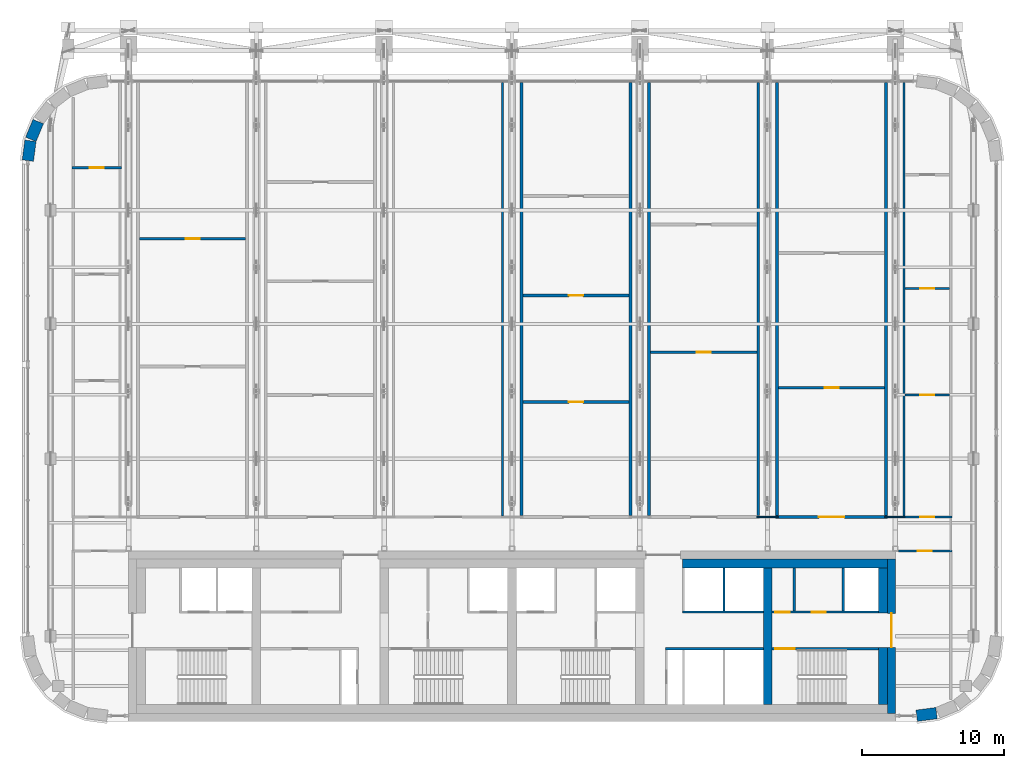
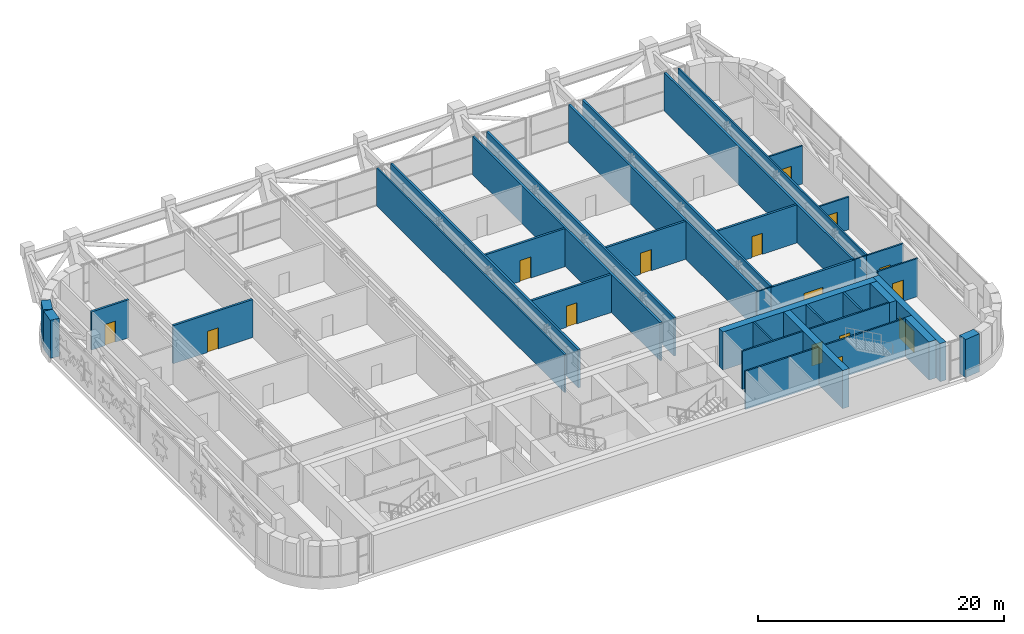
# One storey, part 20 of 28: 36 walls, 15 doors, 15 openings.
"""IFC4 building model written with IfcOpenShell, lengths in metres."""

import ifcopenshell
import ifcopenshell.guid

model = None  # the IFC model being written
_history = None  # IfcOwnerHistory: only IFC2X3 demands one
_inside = {}  # id of a spatial element -> (the spatial element, [elements in it])
_under = {}  # id of a project, library or spatial element -> (it, [spatial elements below it])
_declared = {}  # id of a project -> (the project, [libraries it declares])
_typed = {}  # id of a type object -> (the type object, [elements of that type])
_made_of = {}  # id of a material, layer set ... -> (it, [elements and type objects made of it])


def new_model(schema):
    """Start an empty IFC model of exactly this schema.

    Asked for "IFC4X3", IfcOpenShell would pick the latest addendum, in which some entities
    have other attributes; the version numbers below select the first issue.
    IFC2X3 requires an IfcOwnerHistory on every rooted entity: one is made here for all.
    """
    global model, _history
    if schema == "IFC4X3":
        model = ifcopenshell.file(schema_version=(4, 3, 0, 0))
    else:
        model = ifcopenshell.file(schema=schema)
    _inside.clear()
    _under.clear()
    _declared.clear()
    _typed.clear()
    _made_of.clear()
    _history = None
    if model.schema == "IFC2X3":
        org = make("IfcOrganization", Name="unknown")
        user = make(
            "IfcPersonAndOrganization",
            ThePerson=make("IfcPerson", FamilyName="unknown"),
            TheOrganization=org,
        )
        app = make(
            "IfcApplication",
            ApplicationDeveloper=org,
            Version="unknown",
            ApplicationFullName="unknown",
            ApplicationIdentifier="unknown",
        )
        _history = make(
            "IfcOwnerHistory",
            OwningUser=user,
            OwningApplication=app,
            ChangeAction="ADDED",
            CreationDate=0,
        )
    return model


def make(cls, **values):
    """One entity of the class cls with the attributes given. An attribute that is None is left unset."""
    return model.create_entity(
        cls, **{name: value for name, value in values.items() if value is not None}
    )


def rooted(cls, **values):
    """An entity with a GlobalId (a new one), such as an element, a storey or a relation."""
    return make(cls, GlobalId=ifcopenshell.guid.new(), OwnerHistory=_history, **values)


def si_unit(unit_type, name, prefix=None):
    """IfcSIUnit, for example si_unit("LENGTHUNIT", "METRE", prefix="MILLI")."""
    return make("IfcSIUnit", UnitType=unit_type, Prefix=prefix, Name=name)


def assignment(units):
    """IfcUnitAssignment: the units of a project."""
    return None if units is None else make("IfcUnitAssignment", Units=units)


def point(xyz):
    """IfcCartesianPoint."""
    return None if xyz is None else make("IfcCartesianPoint", Coordinates=xyz)


def direction(xyz):
    """IfcDirection."""
    return None if xyz is None else make("IfcDirection", DirectionRatios=xyz)


def frame(location, z_axis=None, x_axis=None):
    """IfcAxis2Placement3D, a coordinate frame: its origin and axes. An axis left out is left unset."""
    return make(
        "IfcAxis2Placement3D",
        Location=point(location),
        Axis=direction(z_axis),
        RefDirection=direction(x_axis),
    )


def frame_2d(location, x_axis=None):
    """IfcAxis2Placement2D, a coordinate frame in the plane: its origin and x axis."""
    return make(
        "IfcAxis2Placement2D", Location=point(location), RefDirection=direction(x_axis)
    )


def origin():
    """The frame at (0, 0, 0) with its axes left unset."""
    return frame((0.0, 0.0, 0.0))


def place(relative_to, where):
    """IfcLocalPlacement: puts the frame where relative to a parent placement (None: the world)."""
    return make(
        "IfcLocalPlacement", PlacementRelTo=relative_to, RelativePlacement=where
    )


def context(
    kind, dimensions, precision=None, world=None, true_north=None, identifier=None
):
    """IfcGeometricRepresentationContext, for example the 3D "Model" context."""
    return make(
        "IfcGeometricRepresentationContext",
        ContextIdentifier=identifier,
        ContextType=kind,
        CoordinateSpaceDimension=dimensions,
        Precision=precision,
        WorldCoordinateSystem=world,
        TrueNorth=true_north,
    )


def subcontext(parent, identifier, kind, view, scale=None):
    """IfcGeometricRepresentationSubContext, for example "Body" below "Model"."""
    return make(
        "IfcGeometricRepresentationSubContext",
        ContextIdentifier=identifier,
        ContextType=kind,
        ParentContext=parent,
        TargetScale=scale,
        TargetView=view,
    )


def project(units=None, contexts=None):
    """IfcProject with its units and contexts."""
    return rooted(
        "IfcProject",
        Name="project",
        RepresentationContexts=contexts,
        UnitsInContext=assignment(units),
    )


def spatial(cls, under=None, at=None, **own):
    """A site, building, storey or space (cls), placed at a placement, below another one or the project."""
    s = rooted(cls, ObjectPlacement=at, **own)
    if under is not None:
        _under.setdefault(under.id(), (under, []))[1].append(s)
    return s


def profile(cls, at=None, kind="AREA", **sizes):
    """A parametric profile (cls). Its sizes go by their IFC names, for example OverallWidth=200.0."""
    return make(cls, ProfileType=kind, Position=at, **sizes)


def rectangle(**sizes):
    """IfcRectangleProfileDef."""
    return profile("IfcRectangleProfileDef", **sizes)


def extrude(swept, where, along, depth):
    """IfcExtrudedAreaSolid: the profile swept, set in the frame where, extruded along a direction by depth."""
    return make(
        "IfcExtrudedAreaSolid",
        SweptArea=swept,
        Position=where,
        ExtrudedDirection=direction(along),
        Depth=depth,
    )


def shape(context_of_items, identifier, shape_type, items):
    """IfcShapeRepresentation: the items that make up one representation, for example the "Body"."""
    return make(
        "IfcShapeRepresentation",
        ContextOfItems=context_of_items,
        RepresentationIdentifier=identifier,
        RepresentationType=shape_type,
        Items=items,
    )


def material(Name=None, Category=None):
    """IfcMaterial."""
    return make("IfcMaterial", Name=Name, Category=Category)


def layer(
    of_material, thickness, ventilated=None, Name=None, Category=None, Priority=None
):
    """IfcMaterialLayer: one layer of a wall or slab, of a material (None: an air gap)."""
    return make(
        "IfcMaterialLayer",
        Material=of_material,
        LayerThickness=thickness,
        IsVentilated=ventilated,
        Name=Name,
        Category=Category,
        Priority=Priority,
    )


def layer_set(layers, Name=None):
    """IfcMaterialLayerSet."""
    return make("IfcMaterialLayerSet", MaterialLayers=layers, LayerSetName=Name)


def made_of(thing, what):
    """Note that an element or type object is made of a material, layer set ...; save() writes the relation."""
    if what is not None:
        _made_of.setdefault(what.id(), (what, []))[1].append(thing)
    return thing


def type_object(cls, material=None, **own):
    """A type object (cls), such as IfcWallType, which elements share."""
    return made_of(rooted(cls, **own), material)


def element(
    cls,
    number,
    at=None,
    inside=None,
    cuts=None,
    type_object=None,
    material=None,
    context=None,
    identifier="Body",
    shape_type=None,
    held_by="IfcProductDefinitionShape",
    body=None,
    shapes=None,
    **own,
):
    """One element of the class cls, such as IfcWall. Its Tag is "e" and its number.

    at: its placement. inside: the storey or other place that contains it. cuts: it is an
    opening in that element (IfcRelVoidsElement). A single representation is given by context,
    identifier, shape_type and body (its items); several are given by shapes. held_by: the class
    of the entity that holds the representations. save() writes the other relations.
    """
    e = rooted(cls, Tag="e%d" % number, ObjectPlacement=at, **own)
    if body is not None:
        shapes = [shape(context, identifier, shape_type, body)]
    if shapes is not None:
        e.Representation = make(held_by, Representations=shapes)
    if inside is not None:
        _inside.setdefault(inside.id(), (inside, []))[1].append(e)
    if cuts is not None:
        rooted(
            "IfcRelVoidsElement", RelatingBuildingElement=cuts, RelatedOpeningElement=e
        )
    if type_object is not None:
        _typed.setdefault(type_object.id(), (type_object, []))[1].append(e)
    return made_of(e, material)


def fill(opening, filler):
    """IfcRelFillsElement: the door or window that sits in an opening."""
    return rooted(
        "IfcRelFillsElement",
        RelatingOpeningElement=opening,
        RelatedBuildingElement=filler,
    )


def aggregate(whole, parts):
    """IfcRelAggregates: a whole, such as a stair, and the parts it consists of."""
    return rooted("IfcRelAggregates", RelatingObject=whole, RelatedObjects=parts)


def save(model, path):
    """Write the relations noted so far, then the file.

    IfcRelAggregates (storeys below a building ...), IfcRelContainedInSpatialStructure (elements
    in a storey), IfcRelDefinesByType, IfcRelAssociatesMaterial and IfcRelDeclares: one each for
    every whole, place, type object, material and project.
    """
    for whole, parts in _under.values():
        aggregate(whole, parts)
    for where, things in _inside.values():
        rooted(
            "IfcRelContainedInSpatialStructure",
            RelatedElements=things,
            RelatingStructure=where,
        )
    for kind, things in _typed.values():
        rooted("IfcRelDefinesByType", RelatedObjects=things, RelatingType=kind)
    for what, things in _made_of.values():
        rooted("IfcRelAssociatesMaterial", RelatedObjects=things, RelatingMaterial=what)
    for by, libraries in _declared.values():
        rooted("IfcRelDeclares", RelatingContext=by, RelatedDefinitions=libraries)
    model.write(path)


model = new_model("IFC4")

# Units and contexts
model_context = context("Model", 3, precision=1e-05, world=origin(), true_north=direction((0.0, 1.0)))
body_context = subcontext(model_context, "Body", "Model", "MODEL_VIEW")
ifc_project = project(units=[si_unit("LENGTHUNIT", "METRE"), si_unit("AREAUNIT", "SQUARE_METRE"), si_unit("VOLUMEUNIT", "CUBIC_METRE"), si_unit("PLANEANGLEUNIT", "RADIAN"), si_unit("MASSUNIT", "GRAM", prefix="KILO")], contexts=[model_context])

# Site, building, storey
site_placement = place(None, origin())
site = spatial("IfcSite", under=ifc_project, at=site_placement, CompositionType="ELEMENT")
building_placement = place(site_placement, origin())
building = spatial("IfcBuilding", under=site, at=building_placement, Name="Zellij Exchange Tower", CompositionType="ELEMENT")
storey_placement = place(building_placement, frame((0.0, 0.0, 268.5)))
storey = spatial("IfcBuildingStorey", under=building, at=storey_placement, Name="L63", CompositionType="ELEMENT", Elevation=268.5)

# Walls
ifc_material_1 = material(Name="Concrete C50/60", Category="concrete")
ifc_layer_1 = layer(ifc_material_1, 0.60009765625)
ifc_layer_set_1 = layer_set([ifc_layer_1], Name="Concrete C50/60")
wall_type_1 = type_object("IfcWallType", Name="CORE-CW 600 C50/60", PredefinedType="SHEAR", material=ifc_layer_set_1)
wall_1_placement = place(storey_placement, frame((18.0, -12.800048828125, 0.0), z_axis=(0.0, 0.0, 1.0), x_axis=(0.0, 1.0, 0.0)))
element("IfcWall", 1, at=wall_1_placement, inside=storey, type_object=wall_type_1, Name="Core cross wall x 18 L63", PredefinedType="SHEAR", context=body_context, shape_type="SweptSolid", body=[
    extrude(rectangle(XDim=9.60009765625, YDim=0.60009765625, at=frame_2d((4.800048828125, 0.0))), origin(), (0.0, 0.0, 1.0), 3.780029296875),
])
ifc_material_2 = material(Name="Concrete C30/37", Category="concrete")
ifc_layer_2 = layer(ifc_material_2, 0.64990234375)
ifc_layer_set_2 = layer_set([ifc_layer_2], Name="Concrete C30/37")
wall_type_2 = type_object("IfcWallType", Name="CORE-LW 650 C30/37", PredefinedType="SHEAR", material=ifc_layer_set_2)
wall_2_placement = place(storey_placement, frame((12.0, -2.875, 0.0), z_axis=(0.0, 0.0, 1.0), x_axis=(1.0, 0.0, 0.0)))
element("IfcWall", 2, at=wall_2_placement, inside=storey, type_object=wall_type_2, Name="Core wall lining front.2 L63", PredefinedType="SHEAR", context=body_context, shape_type="SweptSolid", body=[
    extrude(rectangle(XDim=14.449951171875, YDim=0.64990234375, at=frame_2d((7.22509765625, 0.0))), origin(), (0.0, 0.0, 1.0), 3.780029296875),
])
wall_3_placement = place(storey_placement, frame((26.125, -12.800048828125, 0.0), z_axis=(0.0, 0.0, 1.0), x_axis=(0.0, 1.0, 0.0)))
element("IfcWall", 3, at=wall_3_placement, inside=storey, type_object=wall_type_2, Name="Core wall lining end e.0 L63", PredefinedType="SHEAR", context=body_context, shape_type="SweptSolid", body=[
    extrude(rectangle(XDim=4.0, YDim=0.64990234375, at=frame_2d((2.0, 0.0))), origin(), (0.0, 0.0, 1.0), 3.780029296875),
])
wall_4_placement = place(storey_placement, frame((26.125, -6.375, 0.0), z_axis=(0.0, 0.0, 1.0), x_axis=(0.0, 1.0, 0.0)))
element("IfcWall", 4, at=wall_4_placement, inside=storey, type_object=wall_type_2, Name="Core wall lining end e.1 L63", PredefinedType="SHEAR", context=body_context, shape_type="SweptSolid", body=[
    extrude(rectangle(XDim=3.175048828125, YDim=0.64990234375, at=frame_2d((1.58740234375, 0.0))), origin(), (0.0, 0.0, 1.0), 3.780029296875),
])
ifc_material_3 = material(Name="Gypsum shaft wall system")
ifc_layer_3 = layer(ifc_material_3, 0.14990234375)
ifc_layer_set_3 = layer_set([ifc_layer_3], Name="Gypsum shaft wall system")
wall_type_3 = type_object("IfcWallType", Name="CORE-PW 150 Lift shaft wall", PredefinedType="PARTITIONING", material=ifc_layer_set_3)
for number, where, z_axis, x_axis, name in (
    (5, (14.925048828125, -6.22509765625, 0.0), (0.0, 0.0, 1.0), (0.0, 1.0, 0.0), "Lift shaft wall L63"),
    (6, (23.324951171875, -6.22509765625, 0.0), (0.0, 0.0, 1.0), (0.0, 1.0, 0.0), "Lift shaft wall L63"),
):
    element("IfcWall", number, at=place(storey_placement, frame(where, z_axis=z_axis, x_axis=x_axis)), inside=storey, type_object=wall_type_3, Name=name, PredefinedType="PARTITIONING", context=body_context, shape_type="SweptSolid", body=[
        extrude(rectangle(XDim=3.025146484375, YDim=0.14990234375, at=frame_2d((1.5126953125, 0.0))), origin(), (0.0, 0.0, 1.0), 3.780029296875),
    ])
wall_5_placement = place(storey_placement, frame((12.0, -6.300048828125, 0.0), z_axis=(0.0, 0.0, 1.0), x_axis=(1.0, 0.0, 0.0)))
element("IfcWall", 7, at=wall_5_placement, inside=storey, type_object=wall_type_3, Name="Lift shaft wall L63", PredefinedType="PARTITIONING", context=body_context, shape_type="SweptSolid", body=[
    extrude(rectangle(XDim=5.699951171875, YDim=0.14990234375, at=frame_2d((2.85009765625, 0.0))), origin(), (0.0, 0.0, 1.0), 3.780029296875),
])

# Wall, openings, doors
wall_6_placement = place(storey_placement, frame((18.300048828125, -6.300048828125, 0.0), z_axis=(0.0, 0.0, 1.0), x_axis=(1.0, 0.0, 0.0)))
wall_6 = element("IfcWall", 8, at=wall_6_placement, inside=storey, type_object=wall_type_3, Name="Lift shaft wall L63", PredefinedType="PARTITIONING", context=body_context, shape_type="SweptSolid", body=[
    extrude(rectangle(XDim=7.5, YDim=0.14990234375, at=frame_2d((3.75, 0.0))), origin(), (0.0, 0.0, 1.0), 3.780029296875),
])
opening_1_placement = place(wall_6_placement, frame((0.25, 0.0, 0.0)))
opening_1 = element("IfcOpeningElement", 9, at=opening_1_placement, cuts=wall_6, Name="Opening CA-33.17", PredefinedType="OPENING", context=body_context, shape_type="SweptSolid", body=[
    extrude(rectangle(XDim=1.0, YDim=2.10009765625, at=frame_2d((0.5, 1.050048828125))), frame((0.0, 0.0869140625, 0.0), z_axis=(0.0, -1.0, 0.0), x_axis=(1.0, 0.0, 0.0)), (0.0, 0.0, 1.0), 0.173828125),
])
opening_2_placement = place(wall_6_placement, frame((2.800048828125, 0.0, 0.0)))
opening_2 = element("IfcOpeningElement", 10, at=opening_2_placement, cuts=wall_6, Name="Opening CA-33.19", PredefinedType="OPENING", context=body_context, shape_type="SweptSolid", body=[
    extrude(rectangle(XDim=1.0, YDim=2.10009765625, at=frame_2d((0.5, 1.050048828125))), frame((0.0, 0.0869140625, 0.0), z_axis=(0.0, -1.0, 0.0), x_axis=(1.0, 0.0, 0.0)), (0.0, 0.0, 1.0), 0.173828125),
])
ifc_material_4 = material(Name="Hollow metal fire door")
door_type_1 = type_object("IfcDoorType", Name="CORE-D CDA Core room door 1000x2100 1.5 HR", OperationType="NOTDEFINED", PredefinedType="DOOR", material=ifc_material_4)
door_1_placement = place(opening_1_placement, origin())
door_1 = element("IfcDoor", 11, at=door_1_placement, inside=storey, type_object=door_type_1, Name="Core room door CA-33.17", OperationType="SINGLE_SWING_LEFT", OverallHeight=2.10009765625, OverallWidth=1.0, PredefinedType="DOOR", context=body_context, shape_type="SweptSolid", body=[
    extrude(rectangle(XDim=1.0, YDim=2.10009765625, at=frame_2d((0.5, 1.050048828125))), frame((0.0, 0.02490234375, 0.0), z_axis=(0.0, -1.0, 0.0), x_axis=(1.0, 0.0, 0.0)), (0.0, 0.0, 1.0), 0.050048828125),
])
fill(opening_1, door_1)
door_2_placement = place(opening_2_placement, origin())
door_2 = element("IfcDoor", 12, at=door_2_placement, inside=storey, type_object=door_type_1, Name="Core room door CA-33.19", OperationType="SINGLE_SWING_LEFT", OverallHeight=2.10009765625, OverallWidth=1.0, PredefinedType="DOOR", context=body_context, shape_type="SweptSolid", body=[
    extrude(rectangle(XDim=1.0, YDim=2.10009765625, at=frame_2d((0.5, 1.050048828125))), frame((0.0, 0.02490234375, 0.0), z_axis=(0.0, -1.0, 0.0), x_axis=(1.0, 0.0, 0.0)), (0.0, 0.0, 1.0), 0.050048828125),
])
fill(opening_2, door_2)

# Walls
wall_7_placement = place(storey_placement, frame((10.800048828125, -8.875, 0.0), z_axis=(0.0, 0.0, 1.0), x_axis=(1.0, 0.0, 0.0)))
element("IfcWall", 13, at=wall_7_placement, inside=storey, type_object=wall_type_3, Name="Lift shaft wall L63", PredefinedType="PARTITIONING", context=body_context, shape_type="SweptSolid", body=[
    extrude(rectangle(XDim=6.89990234375, YDim=0.14990234375, at=frame_2d((3.449951171875, 0.0))), origin(), (0.0, 0.0, 1.0), 3.780029296875),
])
ifc_layer_4 = layer(ifc_material_3, 0.14990234375)
ifc_layer_set_4 = layer_set([ifc_layer_4], Name="Gypsum shaft wall system")
wall_type_4 = type_object("IfcWallType", Name="CORE-PW 150 Plant room wall", PredefinedType="PARTITIONING", material=ifc_layer_set_4)
wall_8_placement = place(storey_placement, frame((19.875, -6.22509765625, 0.0), z_axis=(0.0, 0.0, 1.0), x_axis=(0.0, 1.0, 0.0)))
element("IfcWall", 14, at=wall_8_placement, inside=storey, type_object=wall_type_4, Name="Plant room wall L63", PredefinedType="PARTITIONING", context=body_context, shape_type="SweptSolid", body=[
    extrude(rectangle(XDim=3.025146484375, YDim=0.14990234375, at=frame_2d((1.5126953125, 0.0))), origin(), (0.0, 0.0, 1.0), 3.780029296875),
])

# Wall, opening, door
ifc_layer_5 = layer(ifc_material_1, 0.550048828125)
ifc_layer_set_5 = layer_set([ifc_layer_5], Name="Concrete C50/60")
wall_type_5 = type_object("IfcWallType", Name="CORE-SW 550 C50/60", PredefinedType="SHEAR", material=ifc_layer_set_5)
wall_9_placement = place(storey_placement, frame((26.72509765625, -13.449951171875, 0.0), z_axis=(0.0, 0.0, 1.0), x_axis=(0.0, 1.0, 0.0)))
wall_9 = element("IfcWall", 15, at=wall_9_placement, inside=storey, type_object=wall_type_5, Name="Core shear wall end e L63", PredefinedType="SHEAR", context=body_context, shape_type="SweptSolid", body=[
    extrude(rectangle(XDim=10.89990234375, YDim=0.550048828125, at=frame_2d((5.449951171875, 0.0))), origin(), (0.0, 0.0, 1.0), 3.780029296875),
])
opening_3_placement = place(wall_9_placement, frame((4.662109375, 0.0, 0.0)))
opening_3 = element("IfcOpeningElement", 16, at=opening_3_placement, cuts=wall_9, Name="Opening CA-33.20", PredefinedType="OPENING", context=body_context, shape_type="SweptSolid", body=[
    extrude(rectangle(XDim=2.39990234375, YDim=2.10009765625, at=frame_2d((1.199951171875, 1.050048828125))), frame((0.0, 0.287109375, 0.0), z_axis=(0.0, -1.0, 0.0), x_axis=(1.0, 0.0, 0.0)), (0.0, 0.0, 1.0), 0.573974609375),
])
door_type_2 = type_object("IfcDoorType", Name="CORE-D CE Core entrance door 2400x2100 20 MIN", OperationType="NOTDEFINED", PredefinedType="DOOR", material=ifc_material_4)
door_3_placement = place(opening_3_placement, origin())
door_3 = element("IfcDoor", 17, at=door_3_placement, inside=storey, type_object=door_type_2, Name="Core entrance door CA-33.20", OperationType="DOUBLE_DOOR_SINGLE_SWING", OverallHeight=2.10009765625, OverallWidth=2.39990234375, PredefinedType="DOOR", context=body_context, shape_type="SweptSolid", body=[
    extrude(rectangle(XDim=2.39990234375, YDim=2.10009765625, at=frame_2d((1.199951171875, 1.050048828125))), frame((0.0, 0.02490234375, 0.0), z_axis=(0.0, -1.0, 0.0), x_axis=(1.0, 0.0, 0.0)), (0.0, 0.0, 1.0), 0.050048828125),
])
fill(opening_3, door_3)

ifc_layer_6 = layer(ifc_material_1, 0.14990234375)
ifc_layer_set_6 = layer_set([ifc_layer_6], Name="Concrete C50/60")
wall_type_6 = type_object("IfcWallType", Name="CORE-SWS 150 C50/60", PredefinedType="SHEAR", material=ifc_layer_set_6)
wall_10_placement = place(storey_placement, frame((18.300048828125, -8.875, 0.0), z_axis=(0.0, 0.0, 1.0), x_axis=(1.0, 0.0, 0.0)))
wall_10 = element("IfcWall", 18, at=wall_10_placement, inside=storey, type_object=wall_type_6, Name="Stair enclosure wall L63", PredefinedType="SHEAR", context=body_context, shape_type="SweptSolid", body=[
    extrude(rectangle(XDim=7.5, YDim=0.14990234375, at=frame_2d((3.75, 0.0))), origin(), (0.0, 0.0, 1.0), 3.780029296875),
])
opening_4_placement = place(wall_10_placement, frame((0.22509765625, 0.0, 0.0)))
opening_4 = element("IfcOpeningElement", 19, at=opening_4_placement, cuts=wall_10, Name="Opening CA-33.18", PredefinedType="OPENING", context=body_context, shape_type="SweptSolid", body=[
    extrude(rectangle(XDim=1.39990234375, YDim=2.10009765625, at=frame_2d((0.699951171875, 1.050048828125))), frame((0.0, 0.0869140625, 0.0), z_axis=(0.0, -1.0, 0.0), x_axis=(1.0, 0.0, 0.0)), (0.0, 0.0, 1.0), 0.173828125),
])
door_type_3 = type_object("IfcDoorType", Name="CORE-D SD Stair door 1400x2100 1.5 HR", OperationType="NOTDEFINED", PredefinedType="DOOR", material=ifc_material_4)
door_4_placement = place(opening_4_placement, origin())
door_4 = element("IfcDoor", 20, at=door_4_placement, inside=storey, type_object=door_type_3, Name="Stair door CA-33.18", OperationType="DOUBLE_DOOR_SINGLE_SWING", OverallHeight=2.10009765625, OverallWidth=1.39990234375, PredefinedType="DOOR", context=body_context, shape_type="SweptSolid", body=[
    extrude(rectangle(XDim=1.39990234375, YDim=2.10009765625, at=frame_2d((0.699951171875, 1.050048828125))), frame((0.0, 0.02490234375, 0.0), z_axis=(0.0, -1.0, 0.0), x_axis=(1.0, 0.0, 0.0)), (0.0, 0.0, 1.0), 0.050048828125),
])
fill(opening_4, door_4)

# Walls
ifc_material_5 = material(Name="Precast concrete C40/50", Category="concrete")
ifc_layer_7 = layer(ifc_material_5, 0.800048828125)
ifc_layer_set_7 = layer_set([ifc_layer_7], Name="Precast concrete C40/50")
wall_type_7 = type_object("IfcWallType", Name="ENV-EW1 Precast stone-piered wall 800", PredefinedType="SOLIDWALL", material=ifc_layer_set_7)
wall_11_placement = place(storey_placement, frame((28.499755859375, -13.5966796875, 0.0), z_axis=(0.0, 0.0, 1.0), x_axis=(0.99144603414, 0.130517283865, 0.0)))
element("IfcWall", 21, at=wall_11_placement, inside=storey, type_object=wall_type_7, Name="fac.L63.01", PredefinedType="SOLIDWALL", context=body_context, shape_type="SweptSolid", body=[
    extrude(rectangle(XDim=1.408447265625, YDim=0.800048828125, at=frame_2d((0.7041015625, 0.0))), origin(), (0.0, 0.0, 1.0), 3.780029296875),
])
wall_12_placement = place(storey_placement, frame((-33.366943359375, 28.24951171875, 0.0), z_axis=(0.0, 0.0, 1.0), x_axis=(-0.38276009378, -0.923847774587, 0.0)))
element("IfcWall", 22, at=wall_12_placement, inside=storey, type_object=wall_type_7, Name="fac.L63.19", PredefinedType="SOLIDWALL", context=body_context, shape_type="SweptSolid", body=[
    extrude(rectangle(XDim=1.35546875, YDim=0.800048828125, at=frame_2d((0.677734375, 0.0))), origin(), (0.0, 0.0, 1.0), 3.780029296875),
])
wall_13_placement = place(storey_placement, frame((-33.912841796875, 26.896240234375, 0.0), z_axis=(0.0, 0.0, 1.0), x_axis=(-0.130517283865, -0.99144603414, 0.0)))
element("IfcWall", 23, at=wall_13_placement, inside=storey, type_object=wall_type_7, Name="fac.L63.20", PredefinedType="SOLIDWALL", context=body_context, shape_type="SweptSolid", body=[
    extrude(rectangle(XDim=1.408447265625, YDim=0.800048828125, at=frame_2d((0.7041015625, 0.0))), origin(), (0.0, 0.0, 1.0), 3.780029296875),
])
ifc_material_6 = material(Name="Blockwork fire wall", Category="masonry")
ifc_layer_8 = layer(ifc_material_6, 0.199951171875)
ifc_layer_set_8 = layer_set([ifc_layer_8], Name="Blockwork fire wall")
wall_type_8 = type_object("IfcWallType", Name="FIT-BLOCKWORK-200-EI120", PredefinedType="PARTITIONING", material=ifc_layer_set_8)
for number, where, z_axis, x_axis, name in (
    (24, (0.659912109375, 0.5, 0.0), (0.0, 0.0, 1.0), (0.0, 1.0, 0.0), "FIT-BLOCKWORK-200-EI120 024"),
    (25, (8.340087890625, 0.5, 0.0), (0.0, 0.0, 1.0), (0.0, 1.0, 0.0), "FIT-BLOCKWORK-200-EI120 026"),
    (26, (9.659912109375, 0.5, 0.0), (0.0, 0.0, 1.0), (0.0, 1.0, 0.0), "FIT-BLOCKWORK-200-EI120 028"),
    (27, (17.340087890625, 0.5, 0.0), (0.0, 0.0, 1.0), (0.0, 1.0, 0.0), "FIT-BLOCKWORK-200-EI120 030"),
):
    element("IfcWall", number, at=place(storey_placement, frame(where, z_axis=z_axis, x_axis=x_axis)), inside=storey, type_object=wall_type_8, Name=name, PredefinedType="PARTITIONING", context=body_context, shape_type="SweptSolid", body=[
        extrude(rectangle(XDim=30.49609375, YDim=0.199951171875, at=frame_2d((15.248046875, 0.0))), origin(), (0.0, 0.0, 1.0), 3.780029296875),
    ])

# Wall, opening, door
wall_14_placement = place(storey_placement, frame((18.56005859375, 0.39990234375, 0.0), z_axis=(0.0, 0.0, 1.0), x_axis=(1.0, 0.0, 0.0)))
wall_14 = element("IfcWall", 28, at=wall_14_placement, inside=storey, type_object=wall_type_8, Name="FIT-BLOCKWORK-200-EI120 031", PredefinedType="PARTITIONING", context=body_context, shape_type="SweptSolid", body=[
    extrude(rectangle(XDim=7.8798828125, YDim=0.199951171875, at=frame_2d((3.93994140625, 0.0))), origin(), (0.0, 0.0, 1.0), 3.780029296875),
])
opening_5_placement = place(wall_14_placement, frame((3.050048828125, 0.0, 0.0)))
opening_5 = element("IfcOpeningElement", 29, at=opening_5_placement, cuts=wall_14, Name="Opening PL63.09", PredefinedType="OPENING", context=body_context, shape_type="SweptSolid", body=[
    extrude(rectangle(XDim=1.800048828125, YDim=2.10009765625, at=frame_2d((0.89990234375, 1.050048828125))), frame((0.0, 0.11181640625, 0.0), z_axis=(0.0, -1.0, 0.0), x_axis=(1.0, 0.0, 0.0)), (0.0, 0.0, 1.0), 0.223876953125),
])
ifc_material_7 = material(Name="Steel fire door set", Category="steel")
door_type_4 = type_object("IfcDoorType", Name="FIT-D5-FIRE-DOUBLE-1800X2100", OperationType="DOUBLE_DOOR_SINGLE_SWING", PredefinedType="DOOR", material=ifc_material_7)
door_5_placement = place(opening_5_placement, origin())
door_5 = element("IfcDoor", 30, at=door_5_placement, inside=storey, type_object=door_type_4, Name="Door PL63.09", OperationType="DOUBLE_DOOR_SINGLE_SWING", OverallHeight=2.10009765625, OverallWidth=1.800048828125, PredefinedType="DOOR", context=body_context, shape_type="SweptSolid", body=[
    extrude(rectangle(XDim=1.800048828125, YDim=2.10009765625, at=frame_2d((0.89990234375, 1.050048828125))), frame((0.0, 0.02490234375, 0.0), z_axis=(0.0, -1.0, 0.0), x_axis=(1.0, 0.0, 0.0)), (0.0, 0.0, 1.0), 0.050048828125),
])
fill(opening_5, door_5)

# Walls
for number, where, z_axis, x_axis, name in (
    (31, (18.659912109375, 0.5, 0.0), (0.0, 0.0, 1.0), (0.0, 1.0, 0.0), "FIT-BLOCKWORK-200-EI120 032"),
    (32, (26.340087890625, 0.5, 0.0), (0.0, 0.0, 1.0), (0.0, 1.0, 0.0), "FIT-BLOCKWORK-200-EI120 034"),
):
    element("IfcWall", number, at=place(storey_placement, frame(where, z_axis=z_axis, x_axis=x_axis)), inside=storey, type_object=wall_type_8, Name=name, PredefinedType="PARTITIONING", context=body_context, shape_type="SweptSolid", body=[
        extrude(rectangle(XDim=30.49609375, YDim=0.199951171875, at=frame_2d((15.248046875, 0.0))), origin(), (0.0, 0.0, 1.0), 3.780029296875),
    ])

# Wall, opening, door
wall_15_placement = place(storey_placement, frame((0.760009765625, 8.5, 0.0), z_axis=(0.0, 0.0, 1.0), x_axis=(1.0, 0.0, 0.0)))
wall_15 = element("IfcWall", 33, at=wall_15_placement, inside=storey, type_object=wall_type_8, Name="FIT-BLOCKWORK-200-EI120 038", PredefinedType="PARTITIONING", context=body_context, shape_type="SweptSolid", body=[
    extrude(rectangle(XDim=7.47998046875, YDim=0.199951171875, at=frame_2d((3.739990234375, 0.0))), origin(), (0.0, 0.0, 1.0), 3.780029296875),
])
opening_6_placement = place(wall_15_placement, frame((3.25, 0.0, 0.0)))
opening_6 = element("IfcOpeningElement", 34, at=opening_6_placement, cuts=wall_15, Name="Opening PL63.11", PredefinedType="OPENING", context=body_context, shape_type="SweptSolid", body=[
    extrude(rectangle(XDim=1.0, YDim=2.10009765625, at=frame_2d((0.5, 1.050048828125))), frame((0.0, 0.11181640625, 0.0), z_axis=(0.0, -1.0, 0.0), x_axis=(1.0, 0.0, 0.0)), (0.0, 0.0, 1.0), 0.223876953125),
])
door_type_5 = type_object("IfcDoorType", Name="FIT-D4-FIRE-1000X2100", OperationType="SINGLE_SWING_LEFT", PredefinedType="DOOR", material=ifc_material_7)
door_6_placement = place(opening_6_placement, origin())
door_6 = element("IfcDoor", 35, at=door_6_placement, inside=storey, type_object=door_type_5, Name="Door PL63.11", OperationType="SINGLE_SWING_RIGHT", OverallHeight=2.10009765625, OverallWidth=1.0, PredefinedType="DOOR", context=body_context, shape_type="SweptSolid", body=[
    extrude(rectangle(XDim=1.0, YDim=2.10009765625, at=frame_2d((0.5, 1.050048828125))), frame((0.0, 0.02490234375, 0.0), z_axis=(0.0, -1.0, 0.0), x_axis=(1.0, 0.0, 0.0)), (0.0, 0.0, 1.0), 0.050048828125),
])
fill(opening_6, door_6)

wall_16_placement = place(storey_placement, frame((18.760009765625, 9.5, 0.0), z_axis=(0.0, 0.0, 1.0), x_axis=(1.0, 0.0, 0.0)))
wall_16 = element("IfcWall", 36, at=wall_16_placement, inside=storey, type_object=wall_type_8, Name="FIT-BLOCKWORK-200-EI120 041", PredefinedType="PARTITIONING", context=body_context, shape_type="SweptSolid", body=[
    extrude(rectangle(XDim=7.47998046875, YDim=0.199951171875, at=frame_2d((3.739990234375, 0.0))), origin(), (0.0, 0.0, 1.0), 3.780029296875),
])
opening_7_placement = place(wall_16_placement, frame((3.25, 0.0, 0.0)))
opening_7 = element("IfcOpeningElement", 37, at=opening_7_placement, cuts=wall_16, Name="Opening PL63.14", PredefinedType="OPENING", context=body_context, shape_type="SweptSolid", body=[
    extrude(rectangle(XDim=1.0, YDim=2.10009765625, at=frame_2d((0.5, 1.050048828125))), frame((0.0, 0.11181640625, 0.0), z_axis=(0.0, -1.0, 0.0), x_axis=(1.0, 0.0, 0.0)), (0.0, 0.0, 1.0), 0.223876953125),
])
door_7_placement = place(opening_7_placement, origin())
door_7 = element("IfcDoor", 38, at=door_7_placement, inside=storey, type_object=door_type_5, Name="Door PL63.14", OperationType="SINGLE_SWING_RIGHT", OverallHeight=2.10009765625, OverallWidth=1.0, PredefinedType="DOOR", context=body_context, shape_type="SweptSolid", body=[
    extrude(rectangle(XDim=1.0, YDim=2.10009765625, at=frame_2d((0.5, 1.050048828125))), frame((0.0, 0.02490234375, 0.0), z_axis=(0.0, -1.0, 0.0), x_axis=(1.0, 0.0, 0.0)), (0.0, 0.0, 1.0), 0.050048828125),
])
fill(opening_7, door_7)

wall_17_placement = place(storey_placement, frame((9.760009765625, 12.0, 0.0), z_axis=(0.0, 0.0, 1.0), x_axis=(1.0, 0.0, 0.0)))
wall_17 = element("IfcWall", 39, at=wall_17_placement, inside=storey, type_object=wall_type_8, Name="FIT-BLOCKWORK-200-EI120 044", PredefinedType="PARTITIONING", context=body_context, shape_type="SweptSolid", body=[
    extrude(rectangle(XDim=7.47998046875, YDim=0.199951171875, at=frame_2d((3.739990234375, 0.0))), origin(), (0.0, 0.0, 1.0), 3.780029296875),
])
opening_8_placement = place(wall_17_placement, frame((3.25, 0.0, 0.0)))
opening_8 = element("IfcOpeningElement", 40, at=opening_8_placement, cuts=wall_17, Name="Opening PL63.17", PredefinedType="OPENING", context=body_context, shape_type="SweptSolid", body=[
    extrude(rectangle(XDim=1.0, YDim=2.10009765625, at=frame_2d((0.5, 1.050048828125))), frame((0.0, 0.11181640625, 0.0), z_axis=(0.0, -1.0, 0.0), x_axis=(1.0, 0.0, 0.0)), (0.0, 0.0, 1.0), 0.223876953125),
])
door_8_placement = place(opening_8_placement, origin())
door_8 = element("IfcDoor", 41, at=door_8_placement, inside=storey, type_object=door_type_5, Name="Door PL63.17", OperationType="SINGLE_SWING_RIGHT", OverallHeight=2.10009765625, OverallWidth=1.0, PredefinedType="DOOR", context=body_context, shape_type="SweptSolid", body=[
    extrude(rectangle(XDim=1.0, YDim=2.10009765625, at=frame_2d((0.5, 1.050048828125))), frame((0.0, 0.02490234375, 0.0), z_axis=(0.0, -1.0, 0.0), x_axis=(1.0, 0.0, 0.0)), (0.0, 0.0, 1.0), 0.050048828125),
])
fill(opening_8, door_8)

wall_18_placement = place(storey_placement, frame((0.760009765625, 16.0, 0.0), z_axis=(0.0, 0.0, 1.0), x_axis=(1.0, 0.0, 0.0)))
wall_18 = element("IfcWall", 42, at=wall_18_placement, inside=storey, type_object=wall_type_8, Name="FIT-BLOCKWORK-200-EI120 045", PredefinedType="PARTITIONING", context=body_context, shape_type="SweptSolid", body=[
    extrude(rectangle(XDim=7.47998046875, YDim=0.199951171875, at=frame_2d((3.739990234375, 0.0))), origin(), (0.0, 0.0, 1.0), 3.780029296875),
])
opening_9_placement = place(wall_18_placement, frame((3.25, 0.0, 0.0)))
opening_9 = element("IfcOpeningElement", 43, at=opening_9_placement, cuts=wall_18, Name="Opening PL63.18", PredefinedType="OPENING", context=body_context, shape_type="SweptSolid", body=[
    extrude(rectangle(XDim=1.0, YDim=2.10009765625, at=frame_2d((0.5, 1.050048828125))), frame((0.0, 0.11181640625, 0.0), z_axis=(0.0, -1.0, 0.0), x_axis=(1.0, 0.0, 0.0)), (0.0, 0.0, 1.0), 0.223876953125),
])
door_9_placement = place(opening_9_placement, origin())
door_9 = element("IfcDoor", 44, at=door_9_placement, inside=storey, type_object=door_type_5, Name="Door PL63.18", OperationType="SINGLE_SWING_RIGHT", OverallHeight=2.10009765625, OverallWidth=1.0, PredefinedType="DOOR", context=body_context, shape_type="SweptSolid", body=[
    extrude(rectangle(XDim=1.0, YDim=2.10009765625, at=frame_2d((0.5, 1.050048828125))), frame((0.0, 0.02490234375, 0.0), z_axis=(0.0, -1.0, 0.0), x_axis=(1.0, 0.0, 0.0)), (0.0, 0.0, 1.0), 0.050048828125),
])
fill(opening_9, door_9)

wall_19_placement = place(storey_placement, frame((-26.239990234375, 20.0, 0.0), z_axis=(0.0, 0.0, 1.0), x_axis=(1.0, 0.0, 0.0)))
wall_19 = element("IfcWall", 45, at=wall_19_placement, inside=storey, type_object=wall_type_8, Name="FIT-BLOCKWORK-200-EI120 050", PredefinedType="PARTITIONING", context=body_context, shape_type="SweptSolid", body=[
    extrude(rectangle(XDim=7.47998046875, YDim=0.199951171875, at=frame_2d((3.739990234375, 0.0))), origin(), (0.0, 0.0, 1.0), 3.780029296875),
])
opening_10_placement = place(wall_19_placement, frame((3.25, 0.0, 0.0)))
opening_10 = element("IfcOpeningElement", 46, at=opening_10_placement, cuts=wall_19, Name="Opening PL63.23", PredefinedType="OPENING", context=body_context, shape_type="SweptSolid", body=[
    extrude(rectangle(XDim=1.0, YDim=2.10009765625, at=frame_2d((0.5, 1.050048828125))), frame((0.0, 0.11181640625, 0.0), z_axis=(0.0, -1.0, 0.0), x_axis=(1.0, 0.0, 0.0)), (0.0, 0.0, 1.0), 0.223876953125),
])
door_10_placement = place(opening_10_placement, origin())
door_10 = element("IfcDoor", 47, at=door_10_placement, inside=storey, type_object=door_type_5, Name="Door PL63.23", OperationType="SINGLE_SWING_RIGHT", OverallHeight=2.10009765625, OverallWidth=1.0, PredefinedType="DOOR", context=body_context, shape_type="SweptSolid", body=[
    extrude(rectangle(XDim=1.0, YDim=2.10009765625, at=frame_2d((0.5, 1.050048828125))), frame((0.0, 0.02490234375, 0.0), z_axis=(0.0, -1.0, 0.0), x_axis=(1.0, 0.0, 0.0)), (0.0, 0.0, 1.0), 0.050048828125),
])
fill(opening_10, door_10)

wall_20_placement = place(storey_placement, frame((-31.0, 25.0, 0.0), z_axis=(0.0, 0.0, 1.0), x_axis=(1.0, 0.0, 0.0)))
wall_20 = element("IfcWall", 48, at=wall_20_placement, inside=storey, type_object=wall_type_8, Name="FIT-BLOCKWORK-200-EI120 055", PredefinedType="PARTITIONING", context=body_context, shape_type="SweptSolid", body=[
    extrude(rectangle(XDim=3.5, YDim=0.199951171875, at=frame_2d((1.75, 0.0))), origin(), (0.0, 0.0, 1.0), 3.780029296875),
])
opening_11_placement = place(wall_20_placement, frame((1.25, 0.0, 0.0)))
opening_11 = element("IfcOpeningElement", 49, at=opening_11_placement, cuts=wall_20, Name="Opening PL63.28", PredefinedType="OPENING", context=body_context, shape_type="SweptSolid", body=[
    extrude(rectangle(XDim=1.0, YDim=2.10009765625, at=frame_2d((0.5, 1.050048828125))), frame((0.0, 0.11181640625, 0.0), z_axis=(0.0, -1.0, 0.0), x_axis=(1.0, 0.0, 0.0)), (0.0, 0.0, 1.0), 0.223876953125),
])
door_11_placement = place(opening_11_placement, origin())
door_11 = element("IfcDoor", 50, at=door_11_placement, inside=storey, type_object=door_type_5, Name="Door PL63.28", OperationType="SINGLE_SWING_LEFT", OverallHeight=2.10009765625, OverallWidth=1.0, PredefinedType="DOOR", context=body_context, shape_type="SweptSolid", body=[
    extrude(rectangle(XDim=1.0, YDim=2.10009765625, at=frame_2d((0.5, 1.050048828125))), frame((0.0, 0.02490234375, 0.0), z_axis=(0.0, -1.0, 0.0), x_axis=(1.0, 0.0, 0.0)), (0.0, 0.0, 1.0), 0.050048828125),
])
fill(opening_11, door_11)

# Walls
ifc_material_8 = material(Name="Gypsum board partition on steel studs", Category="steel")
ifc_layer_9 = layer(ifc_material_8, 0.10009765625)
ifc_layer_set_9 = layer_set([ifc_layer_9], Name="Gypsum board partition on steel studs")
wall_type_9 = type_object("IfcWallType", Name="FIT-PARTITION-100", PredefinedType="PARTITIONING", material=ifc_layer_set_9)
wall_21_placement = place(storey_placement, frame((17.239990234375, 0.39990234375, 0.0), z_axis=(0.0, 0.0, 1.0), x_axis=(1.0, 0.0, 0.0)))
element("IfcWall", 51, at=wall_21_placement, inside=storey, type_object=wall_type_9, Name="FIT-PARTITION-100 029", PredefinedType="PARTITIONING", context=body_context, shape_type="SweptSolid", body=[
    extrude(rectangle(XDim=1.52001953125, YDim=0.10009765625, at=frame_2d((0.760009765625, 0.0))), origin(), (0.0, 0.0, 1.0), 3.780029296875),
])
wall_22_placement = place(storey_placement, frame((26.239990234375, 0.39990234375, 0.0), z_axis=(0.0, 0.0, 1.0), x_axis=(1.0, 0.0, 0.0)))
element("IfcWall", 52, at=wall_22_placement, inside=storey, type_object=wall_type_9, Name="FIT-PARTITION-100 033", PredefinedType="PARTITIONING", context=body_context, shape_type="SweptSolid", body=[
    extrude(rectangle(XDim=1.43505859375, YDim=0.10009765625, at=frame_2d((0.717529296875, 0.0))), origin(), (0.0, 0.0, 1.0), 3.780029296875),
])

# Wall, opening, door
ifc_material_9 = material(Name="Gypsum board shaft-wall partition", Category="gypsum")
ifc_layer_10 = layer(ifc_material_9, 0.14990234375)
ifc_layer_set_10 = layer_set([ifc_layer_10], Name="Gypsum board shaft-wall partition")
wall_type_10 = type_object("IfcWallType", Name="FIT-PARTITION-150-EI60", PredefinedType="PARTITIONING", material=ifc_layer_set_10)
wall_23_placement = place(storey_placement, frame((27.2119140625, -2.0, 0.0), z_axis=(0.0, 0.0, 1.0), x_axis=(1.0, 0.0, 0.0)))
wall_23 = element("IfcWall", 53, at=wall_23_placement, inside=storey, type_object=wall_type_10, Name="FIT-PARTITION-150-EI60 005", PredefinedType="PARTITIONING", context=body_context, shape_type="SweptSolid", body=[
    extrude(rectangle(XDim=3.76318359375, YDim=0.14990234375, at=frame_2d((1.881591796875, 0.0))), origin(), (0.0, 0.0, 1.0), 3.780029296875),
])
opening_12_placement = place(wall_23_placement, frame((1.3662109375, 0.0, 0.0)))
opening_12 = element("IfcOpeningElement", 54, at=opening_12_placement, cuts=wall_23, Name="Opening PL63.02", PredefinedType="OPENING", context=body_context, shape_type="SweptSolid", body=[
    extrude(rectangle(XDim=1.0, YDim=2.10009765625, at=frame_2d((0.5, 1.050048828125))), frame((0.0, 0.0869140625, 0.0), z_axis=(0.0, -1.0, 0.0), x_axis=(1.0, 0.0, 0.0)), (0.0, 0.0, 1.0), 0.173828125),
])
door_12_placement = place(opening_12_placement, origin())
door_12 = element("IfcDoor", 55, at=door_12_placement, inside=storey, type_object=door_type_5, Name="Door PL63.02", OperationType="SINGLE_SWING_LEFT", OverallHeight=2.10009765625, OverallWidth=1.0, PredefinedType="DOOR", context=body_context, shape_type="SweptSolid", body=[
    extrude(rectangle(XDim=1.0, YDim=2.10009765625, at=frame_2d((0.5, 1.050048828125))), frame((0.0, 0.02490234375, 0.0), z_axis=(0.0, -1.0, 0.0), x_axis=(1.0, 0.0, 0.0)), (0.0, 0.0, 1.0), 0.050048828125),
])
fill(opening_12, door_12)

# Wall
wall_24_placement = place(storey_placement, frame((-0.659912109375, 0.47509765625, 0.0), z_axis=(0.0, 0.0, 1.0), x_axis=(0.0, 1.0, 0.0)))
element("IfcWall", 56, at=wall_24_placement, inside=storey, type_object=wall_type_10, Name="FIT-PARTITION-150-EI60 022", PredefinedType="PARTITIONING", context=body_context, shape_type="SweptSolid", body=[
    extrude(rectangle(XDim=30.52099609375, YDim=0.14990234375, at=frame_2d((15.260498046875, 0.0))), origin(), (0.0, 0.0, 1.0), 3.780029296875),
])

# Wall, opening, door
wall_25_placement = place(storey_placement, frame((27.52490234375, 0.39990234375, 0.0), z_axis=(0.0, 0.0, 1.0), x_axis=(1.0, 0.0, 0.0)))
wall_25 = element("IfcWall", 57, at=wall_25_placement, inside=storey, type_object=wall_type_10, Name="FIT-PARTITION-150-EI60 035", PredefinedType="PARTITIONING", context=body_context, shape_type="SweptSolid", body=[
    extrude(rectangle(XDim=3.4501953125, YDim=0.14990234375, at=frame_2d((1.72509765625, 0.0))), origin(), (0.0, 0.0, 1.0), 3.780029296875),
])
opening_13_placement = place(wall_25_placement, frame((1.22509765625, 0.0, 0.0)))
opening_13 = element("IfcOpeningElement", 58, at=opening_13_placement, cuts=wall_25, Name="Opening PL63.10", PredefinedType="OPENING", context=body_context, shape_type="SweptSolid", body=[
    extrude(rectangle(XDim=1.0, YDim=2.10009765625, at=frame_2d((0.5, 1.050048828125))), frame((0.0, 0.0869140625, 0.0), z_axis=(0.0, -1.0, 0.0), x_axis=(1.0, 0.0, 0.0)), (0.0, 0.0, 1.0), 0.173828125),
])
door_13_placement = place(opening_13_placement, origin())
door_13 = element("IfcDoor", 59, at=door_13_placement, inside=storey, type_object=door_type_5, Name="Door PL63.10", OperationType="SINGLE_SWING_RIGHT", OverallHeight=2.10009765625, OverallWidth=1.0, PredefinedType="DOOR", context=body_context, shape_type="SweptSolid", body=[
    extrude(rectangle(XDim=1.0, YDim=2.10009765625, at=frame_2d((0.5, 1.050048828125))), frame((0.0, 0.02490234375, 0.0), z_axis=(0.0, -1.0, 0.0), x_axis=(1.0, 0.0, 0.0)), (0.0, 0.0, 1.0), 0.050048828125),
])
fill(opening_13, door_13)

# Wall
wall_26_placement = place(storey_placement, frame((27.60009765625, 0.47509765625, 0.0), z_axis=(0.0, 0.0, 1.0), x_axis=(0.0, 1.0, 0.0)))
element("IfcWall", 60, at=wall_26_placement, inside=storey, type_object=wall_type_10, Name="FIT-PARTITION-150-EI60 036", PredefinedType="PARTITIONING", context=body_context, shape_type="SweptSolid", body=[
    extrude(rectangle(XDim=30.52099609375, YDim=0.14990234375, at=frame_2d((15.260498046875, 0.0))), origin(), (0.0, 0.0, 1.0), 3.780029296875),
])

# Wall, opening, door
wall_27_placement = place(storey_placement, frame((27.675048828125, 9.0, 0.0), z_axis=(0.0, 0.0, 1.0), x_axis=(1.0, 0.0, 0.0)))
wall_27 = element("IfcWall", 61, at=wall_27_placement, inside=storey, type_object=wall_type_10, Name="FIT-PARTITION-150-EI60 040", PredefinedType="PARTITIONING", context=body_context, shape_type="SweptSolid", body=[
    extrude(rectangle(XDim=3.14990234375, YDim=0.14990234375, at=frame_2d((1.574951171875, 0.0))), origin(), (0.0, 0.0, 1.0), 3.24658203125),
])
opening_14_placement = place(wall_27_placement, frame((1.074951171875, 0.0, 0.0)))
opening_14 = element("IfcOpeningElement", 62, at=opening_14_placement, cuts=wall_27, Name="Opening PL63.13", PredefinedType="OPENING", context=body_context, shape_type="SweptSolid", body=[
    extrude(rectangle(XDim=1.0, YDim=2.10009765625, at=frame_2d((0.5, 1.050048828125))), frame((0.0, 0.0869140625, 0.0), z_axis=(0.0, -1.0, 0.0), x_axis=(1.0, 0.0, 0.0)), (0.0, 0.0, 1.0), 0.173828125),
])
door_14_placement = place(opening_14_placement, origin())
door_14 = element("IfcDoor", 63, at=door_14_placement, inside=storey, type_object=door_type_5, Name="Door PL63.13", OperationType="SINGLE_SWING_RIGHT", OverallHeight=2.10009765625, OverallWidth=1.0, PredefinedType="DOOR", context=body_context, shape_type="SweptSolid", body=[
    extrude(rectangle(XDim=1.0, YDim=2.10009765625, at=frame_2d((0.5, 1.050048828125))), frame((0.0, 0.02490234375, 0.0), z_axis=(0.0, -1.0, 0.0), x_axis=(1.0, 0.0, 0.0)), (0.0, 0.0, 1.0), 0.050048828125),
])
fill(opening_14, door_14)

wall_28_placement = place(storey_placement, frame((27.675048828125, 16.5, 0.0), z_axis=(0.0, 0.0, 1.0), x_axis=(1.0, 0.0, 0.0)))
wall_28 = element("IfcWall", 64, at=wall_28_placement, inside=storey, type_object=wall_type_10, Name="FIT-PARTITION-150-EI60 046", PredefinedType="PARTITIONING", context=body_context, shape_type="SweptSolid", body=[
    extrude(rectangle(XDim=3.14990234375, YDim=0.14990234375, at=frame_2d((1.574951171875, 0.0))), origin(), (0.0, 0.0, 1.0), 3.780029296875),
])
opening_15_placement = place(wall_28_placement, frame((1.074951171875, 0.0, 0.0)))
opening_15 = element("IfcOpeningElement", 65, at=opening_15_placement, cuts=wall_28, Name="Opening PL63.19", PredefinedType="OPENING", context=body_context, shape_type="SweptSolid", body=[
    extrude(rectangle(XDim=1.0, YDim=2.10009765625, at=frame_2d((0.5, 1.050048828125))), frame((0.0, 0.0869140625, 0.0), z_axis=(0.0, -1.0, 0.0), x_axis=(1.0, 0.0, 0.0)), (0.0, 0.0, 1.0), 0.173828125),
])
door_15_placement = place(opening_15_placement, origin())
door_15 = element("IfcDoor", 66, at=door_15_placement, inside=storey, type_object=door_type_5, Name="Door PL63.19", OperationType="SINGLE_SWING_RIGHT", OverallHeight=2.10009765625, OverallWidth=1.0, PredefinedType="DOOR", context=body_context, shape_type="SweptSolid", body=[
    extrude(rectangle(XDim=1.0, YDim=2.10009765625, at=frame_2d((0.5, 1.050048828125))), frame((0.0, 0.02490234375, 0.0), z_axis=(0.0, -1.0, 0.0), x_axis=(1.0, 0.0, 0.0)), (0.0, 0.0, 1.0), 0.050048828125),
])
fill(opening_15, door_15)

save(model, "model.ifc")
